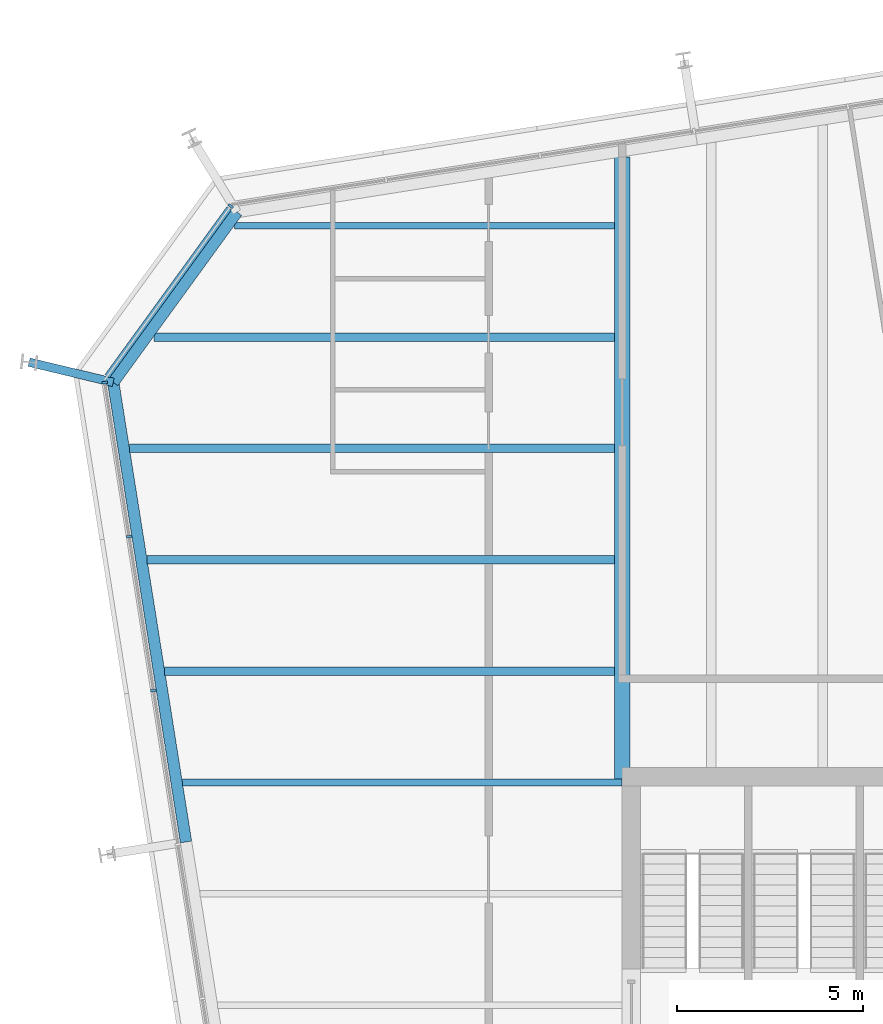
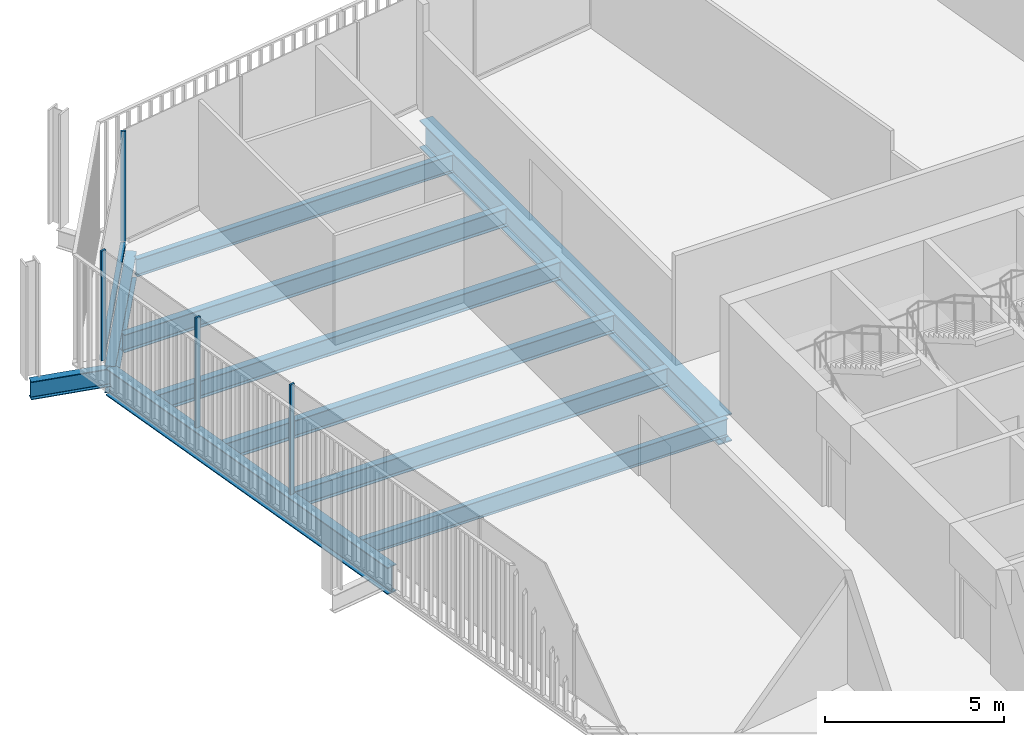
# One storey, part 10 of 20: 10 beams, 5 members, 2 elements without a shape of their own.
"""IFC4 building model written with IfcOpenShell, lengths in metres."""

from ifc_helpers import new_model, si_unit, direction, frame, origin, origin_2d, place, context, subcontext, project, spatial, rectangle, i_section, extrude, material, layer, layer_set, material_profile, profile_set, type_object, element, aggregate, save


model = new_model("IFC4")

# Units and contexts
model_context = context("Model", 3, precision=1e-05, world=origin(), true_north=direction((0.0, 1.0)))
body_context = subcontext(model_context, "Body", "Model", "MODEL_VIEW")
ifc_project = project(units=[si_unit("LENGTHUNIT", "METRE"), si_unit("AREAUNIT", "SQUARE_METRE"), si_unit("VOLUMEUNIT", "CUBIC_METRE"), si_unit("PLANEANGLEUNIT", "RADIAN"), si_unit("MASSUNIT", "GRAM", prefix="KILO")], contexts=[model_context])

# Site, building, storey
site_placement = place(None, origin())
site = spatial("IfcSite", under=ifc_project, at=site_placement, CompositionType="ELEMENT")
building_placement = place(site_placement, origin())
building = spatial("IfcBuilding", under=site, at=building_placement, Name="Millrace Tower", CompositionType="ELEMENT")
storey_placement = place(building_placement, frame((0.0, 0.0, 251.300048828125)))
storey = spatial("IfcBuildingStorey", under=building, at=storey_placement, Name="L57", CompositionType="ELEMENT", Elevation=251.300048828125)

# Curtain wall, member
ifc_material_1 = material(Name="Aluminium and glass", Category="aluminium")
ifc_layer = layer(ifc_material_1, 0.14990234375)
ifc_layer_set = layer_set([ifc_layer], Name="Aluminium and glass")
curtain_wall_type = type_object("IfcCurtainWallType", Name="CW-1 office vision curtain wall", PredefinedType="NOTDEFINED", material=ifc_layer_set)
placement = place(storey_placement, origin())
curtain_wall_1 = element("IfcCurtainWall", 1, at=placement, inside=storey, type_object=curtain_wall_type, Name="Curtain wall D-F07 L57", PredefinedType="NOTDEFINED")
ifc_material_2 = material(Name="Aluminium", Category="aluminium")
ifc_material_profile_1 = material_profile(ifc_material_2, rectangle(XDim=0.06494140625, YDim=0.14990234375, at=origin_2d()))
ifc_profile_set_1 = profile_set([ifc_material_profile_1], Name="Aluminium")
member_type_1 = type_object("IfcMemberType", Name="CW-1 office vision curtain wall mullion", PredefinedType="MULLION", material=ifc_profile_set_1)
member_1_placement = place(storey_placement, frame((-24.945068359375, 24.528076171875, 0.139892578125), z_axis=(0.0, 0.0, 1.0), x_axis=(-0.587785305991, -0.809016955361, 0.0)))
member_1 = element("IfcMember", 2, at=member_1_placement, type_object=member_type_1, Name="CW1 mullion D-F07.1", PredefinedType="MULLION", context=body_context, shape_type="SweptSolid", body=[
    extrude(rectangle(XDim=0.06494140625, YDim=0.14990234375, at=origin_2d()), origin(), (0.0, 0.0, 1.0), 3.760009765625),
])

# Curtain wall, members
curtain_wall_2 = element("IfcCurtainWall", 3, at=placement, inside=storey, type_object=curtain_wall_type, Name="Curtain wall D-F08 L57", PredefinedType="NOTDEFINED")
member_2_placement = place(storey_placement, frame((-28.342529296875, 19.775390625, 0.139892578125), z_axis=(0.0, 0.0, 1.0), x_axis=(0.156434471884, -0.987688339511, 0.0)))
member_2 = element("IfcMember", 4, at=member_2_placement, type_object=member_type_1, Name="CW1 mullion D-F08.1", PredefinedType="MULLION", context=body_context, shape_type="SweptSolid", body=[
    extrude(rectangle(XDim=0.06494140625, YDim=0.14990234375, at=origin_2d()), origin(), (0.0, 0.0, 1.0), 3.760009765625),
])
member_3_placement = place(storey_placement, frame((-27.685302734375, 15.627197265625, 0.139892578125), z_axis=(0.0, 0.0, 1.0), x_axis=(0.156434471884, -0.987688339511, 0.0)))
member_3 = element("IfcMember", 5, at=member_3_placement, type_object=member_type_1, Name="CW1 mullion D-F08.2", PredefinedType="MULLION", context=body_context, shape_type="SweptSolid", body=[
    extrude(rectangle(XDim=0.06494140625, YDim=0.14990234375, at=origin_2d()), origin(), (0.0, 0.0, 1.0), 3.760009765625),
])
member_4_placement = place(storey_placement, frame((-27.0283203125, 11.47900390625, 0.139892578125), z_axis=(0.0, 0.0, 1.0), x_axis=(0.156434471884, -0.987688339511, 0.0)))
member_4 = element("IfcMember", 6, at=member_4_placement, type_object=member_type_1, Name="CW1 mullion D-F08.3", PredefinedType="MULLION", context=body_context, shape_type="SweptSolid", body=[
    extrude(rectangle(XDim=0.06494140625, YDim=0.14990234375, at=origin_2d()), origin(), (0.0, 0.0, 1.0), 3.760009765625),
])
aggregate(curtain_wall_2, [member_2, member_3, member_4])

# Member
ifc_material_3 = material(Name="Aluminium", Category="aluminium")
ifc_material_profile_2 = material_profile(ifc_material_3, rectangle(XDim=0.14990234375, YDim=0.139892578125, at=origin_2d()))
ifc_profile_set_2 = profile_set([ifc_material_profile_2], Name="Aluminium")
member_type_2 = type_object("IfcMemberType", Name="CW-1 office vision curtain wall transom", PredefinedType="USERDEFINED", material=ifc_profile_set_2)
member_5_placement = place(storey_placement, frame((-24.98486328125, 24.473388671875, 0.070068359375), z_axis=(-0.587782670904, -0.809018869857, 0.0), x_axis=(0.809018869857, -0.587782670904, 0.0)))
member_5 = element("IfcMember", 7, at=member_5_placement, type_object=member_type_2, Name="CW1 transom D-F07.1", ObjectType="TRANSOM", PredefinedType="USERDEFINED", context=body_context, shape_type="SweptSolid", body=[
    extrude(rectangle(XDim=0.14990234375, YDim=0.139892578125, at=origin_2d()), origin(), (0.0, 0.0, 1.0), 5.59814453125),
])

aggregate(curtain_wall_1, [member_1, member_5])

# Beams
ifc_material_4 = material(Name="Steel ASTM A992 Grade 50", Category="steel")
ifc_material_profile_3 = material_profile(ifc_material_4, i_section(OverallWidth=0.1787109375, OverallDepth=0.60205078125, WebThickness=0.010986328125, FlangeThickness=0.014892578125, FilletRadius=0.0126953125, at=origin_2d()))
ifc_profile_set_3 = profile_set([ifc_material_profile_3], Name="Steel ASTM A992 Grade 50")
beam_type_1 = type_object("IfcBeamType", Name="Floor beam W24x62", PredefinedType="JOIST", material=ifc_profile_set_3)
beam_1_placement = place(storey_placement, frame((-26.248779296875, 9.0, -0.4609375), z_axis=(1.0, 0.0, 0.0), x_axis=(0.0, 1.0, 0.0)))
element("IfcBeam", 8, at=beam_1_placement, inside=storey, type_object=beam_type_1, Name="BM-D-L57-S1-S023", PredefinedType="JOIST", context=body_context, shape_type="SweptSolid", body=[
    extrude(i_section(OverallWidth=0.1787109375, OverallDepth=0.60205078125, WebThickness=0.010986328125, FlangeThickness=0.014892578125, FilletRadius=0.0126953125, at=origin_2d()), origin(), (0.0, 0.0, 1.0), 11.848876953125),
])
beam_2_placement = place(storey_placement, frame((-24.843994140625, 24.0, -0.4609375), z_axis=(1.0, 0.0, 0.0), x_axis=(0.0, 1.0, 0.0)))
element("IfcBeam", 9, at=beam_2_placement, inside=storey, type_object=beam_type_1, Name="BM-D-L57-S1-S033", PredefinedType="JOIST", context=body_context, shape_type="SweptSolid", body=[
    extrude(i_section(OverallWidth=0.1787109375, OverallDepth=0.60205078125, WebThickness=0.010986328125, FlangeThickness=0.014892578125, FilletRadius=0.0126953125, at=origin_2d()), origin(), (0.0, 0.0, 1.0), 10.234375),
])
ifc_material_5 = material(Name="Steel ASTM A992 Grade 50", Category="steel")
ifc_material_profile_4 = material_profile(ifc_material_5, i_section(OverallWidth=0.228271484375, OverallDepth=0.607177734375, WebThickness=0.01123046875, FlangeThickness=0.017333984375, FilletRadius=0.0126953125, at=origin_2d()))
ifc_profile_set_4 = profile_set([ifc_material_profile_4], Name="Steel ASTM A992 Grade 50")
beam_type_2 = type_object("IfcBeamType", Name="Floor beam W24x76", PredefinedType="JOIST", material=ifc_profile_set_4)
beam_3_placement = place(storey_placement, frame((-26.723876953125, 12.0, -0.463623046875), z_axis=(1.0, 0.0, 0.0), x_axis=(0.0, 1.0, 0.0)))
element("IfcBeam", 10, at=beam_3_placement, inside=storey, type_object=beam_type_2, Name="BM-D-L57-S1-S025", PredefinedType="JOIST", context=body_context, shape_type="SweptSolid", body=[
    extrude(i_section(OverallWidth=0.228271484375, OverallDepth=0.607177734375, WebThickness=0.01123046875, FlangeThickness=0.017333984375, FilletRadius=0.0126953125, at=origin_2d()), origin(), (0.0, 0.0, 1.0), 12.1142578125),
])
beam_4_placement = place(storey_placement, frame((-27.198974609375, 15.0, -0.463623046875), z_axis=(1.0, 0.0, 0.0), x_axis=(0.0, 1.0, 0.0)))
element("IfcBeam", 11, at=beam_4_placement, inside=storey, type_object=beam_type_2, Name="BM-D-L57-S1-S027", PredefinedType="JOIST", context=body_context, shape_type="SweptSolid", body=[
    extrude(i_section(OverallWidth=0.228271484375, OverallDepth=0.607177734375, WebThickness=0.01123046875, FlangeThickness=0.017333984375, FilletRadius=0.0126953125, at=origin_2d()), origin(), (0.0, 0.0, 1.0), 12.58935546875),
])
beam_5_placement = place(storey_placement, frame((-27.674072265625, 18.0, -0.463623046875), z_axis=(1.0, 0.0, 0.0), x_axis=(0.0, 1.0, 0.0)))
element("IfcBeam", 12, at=beam_5_placement, inside=storey, type_object=beam_type_2, Name="BM-D-L57-S1-S029", PredefinedType="JOIST", context=body_context, shape_type="SweptSolid", body=[
    extrude(i_section(OverallWidth=0.228271484375, OverallDepth=0.607177734375, WebThickness=0.01123046875, FlangeThickness=0.017333984375, FilletRadius=0.0126953125, at=origin_2d()), origin(), (0.0, 0.0, 1.0), 13.064453125),
])
beam_6_placement = place(storey_placement, frame((-27.0078125, 21.0, -0.463623046875), z_axis=(1.0, 0.0, 0.0), x_axis=(0.0, 1.0, 0.0)))
element("IfcBeam", 13, at=beam_6_placement, inside=storey, type_object=beam_type_2, Name="BM-D-L57-S1-S031", PredefinedType="JOIST", context=body_context, shape_type="SweptSolid", body=[
    extrude(i_section(OverallWidth=0.228271484375, OverallDepth=0.607177734375, WebThickness=0.01123046875, FlangeThickness=0.017333984375, FilletRadius=0.0126953125, at=origin_2d()), origin(), (0.0, 0.0, 1.0), 12.398193359375),
])
ifc_material_6 = material(Name="Steel ASTM A992 Grade 50", Category="steel")
ifc_material_profile_5 = material_profile(ifc_material_6, i_section(OverallWidth=0.424072265625, OverallDepth=0.947509765625, WebThickness=0.02392578125, FlangeThickness=0.042724609375, FilletRadius=0.024169921875, at=origin_2d()))
ifc_profile_set_5 = profile_set([ifc_material_profile_5], Name="Steel ASTM A992 Grade 50")
beam_type_3 = type_object("IfcBeamType", Name="Girder medium span W36x302", PredefinedType="BEAM", material=ifc_profile_set_5)
beam_7_placement = place(storey_placement, frame((-14.39990234375, 9.092041015625, -0.6337890625), z_axis=(0.0, 1.0, 0.0), x_axis=(-1.0, 0.0, 0.0)))
element("IfcBeam", 14, at=beam_7_placement, inside=storey, type_object=beam_type_3, Name="BM-D-L57-S1-G054", PredefinedType="BEAM", context=body_context, shape_type="SweptSolid", body=[
    extrude(i_section(OverallWidth=0.424072265625, OverallDepth=0.947509765625, WebThickness=0.02392578125, FlangeThickness=0.042724609375, FilletRadius=0.024169921875, at=origin_2d()), origin(), (0.0, 0.0, 1.0), 16.756591796875),
])
ifc_material_7 = material(Name="Steel ASTM A992 Grade 50", Category="steel")
ifc_material_profile_6 = material_profile(ifc_material_7, i_section(OverallWidth=0.23046875, OverallDepth=0.6171875, WebThickness=0.01318359375, FlangeThickness=0.022216796875, FilletRadius=0.012939453125, at=origin_2d()))
ifc_profile_set_6 = profile_set([ifc_material_profile_6], Name="Steel ASTM A992 Grade 50")
beam_type_4 = type_object("IfcBeamType", Name="Link beam W24x94", PredefinedType="BEAM", material=ifc_profile_set_6)
beam_8_placement = place(storey_placement, frame((-28.11181640625, 19.780517578125, -0.46875), z_axis=(-0.972367333652, 0.233456138164, 0.0), x_axis=(-0.233456138164, -0.972367333652, 0.0)))
element("IfcBeam", 15, at=beam_8_placement, inside=storey, type_object=beam_type_4, Name="LNK-D-L57-S1-04", PredefinedType="BEAM", context=body_context, shape_type="SweptSolid", body=[
    extrude(i_section(OverallWidth=0.23046875, OverallDepth=0.6171875, WebThickness=0.01318359375, FlangeThickness=0.022216796875, FilletRadius=0.012939453125, at=origin_2d()), origin(), (0.0, 0.0, 1.0), 2.3310546875),
])
ifc_material_8 = material(Name="Steel ASTM A992 Grade 50", Category="steel")
ifc_material_profile_7 = material_profile(ifc_material_8, i_section(OverallWidth=0.307373046875, OverallDepth=0.927001953125, WebThickness=0.01953125, FlangeThickness=0.031982421875, FilletRadius=0.01904296875, at=origin_2d()))
ifc_profile_set_7 = profile_set([ifc_material_profile_7], Name="Steel ASTM A992 Grade 50")
beam_type_5 = type_object("IfcBeamType", Name="Ring beam medium span W36x194", PredefinedType="SPANDREL", material=ifc_profile_set_7)
beam_9_placement = place(storey_placement, frame((-26.150634765625, 7.3984375, -0.62353515625), z_axis=(-0.156438575049, 0.987687689625, 0.0), x_axis=(-0.987687689625, -0.156438575049, 0.0)))
element("IfcBeam", 16, at=beam_9_placement, inside=storey, type_object=beam_type_5, Name="RNG-D-L57-S1-03", PredefinedType="SPANDREL", context=body_context, shape_type="SweptSolid", body=[
    extrude(i_section(OverallWidth=0.307373046875, OverallDepth=0.927001953125, WebThickness=0.01953125, FlangeThickness=0.031982421875, FilletRadius=0.01904296875, at=origin_2d()), origin(), (0.0, 0.0, 1.0), 12.536376953125),
])
ifc_material_9 = material(Name="Steel ASTM A992 Grade 50", Category="steel")
ifc_material_profile_8 = material_profile(ifc_material_9, i_section(OverallWidth=0.307373046875, OverallDepth=0.927001953125, WebThickness=0.01953125, FlangeThickness=0.031982421875, FilletRadius=0.01904296875, at=origin_2d()))
ifc_profile_set_8 = profile_set([ifc_material_profile_8], Name="Steel ASTM A992 Grade 50")
beam_type_6 = type_object("IfcBeamType", Name="Ring beam short span W36x194", PredefinedType="SPANDREL", material=ifc_profile_set_8)
beam_10_placement = place(storey_placement, frame((-28.11181640625, 19.780517578125, -0.62353515625), z_axis=(0.587808154511, 0.809000354444, 0.0), x_axis=(-0.809000354444, 0.587808154511, 0.0)))
element("IfcBeam", 17, at=beam_10_placement, inside=storey, type_object=beam_type_6, Name="RNG-D-L57-S1-04", PredefinedType="SPANDREL", context=body_context, shape_type="SweptSolid", body=[
    extrude(i_section(OverallWidth=0.307373046875, OverallDepth=0.927001953125, WebThickness=0.01953125, FlangeThickness=0.031982421875, FilletRadius=0.01904296875, at=origin_2d()), origin(), (0.0, 0.0, 1.0), 5.671142578125),
])

save(model, "model.ifc")
